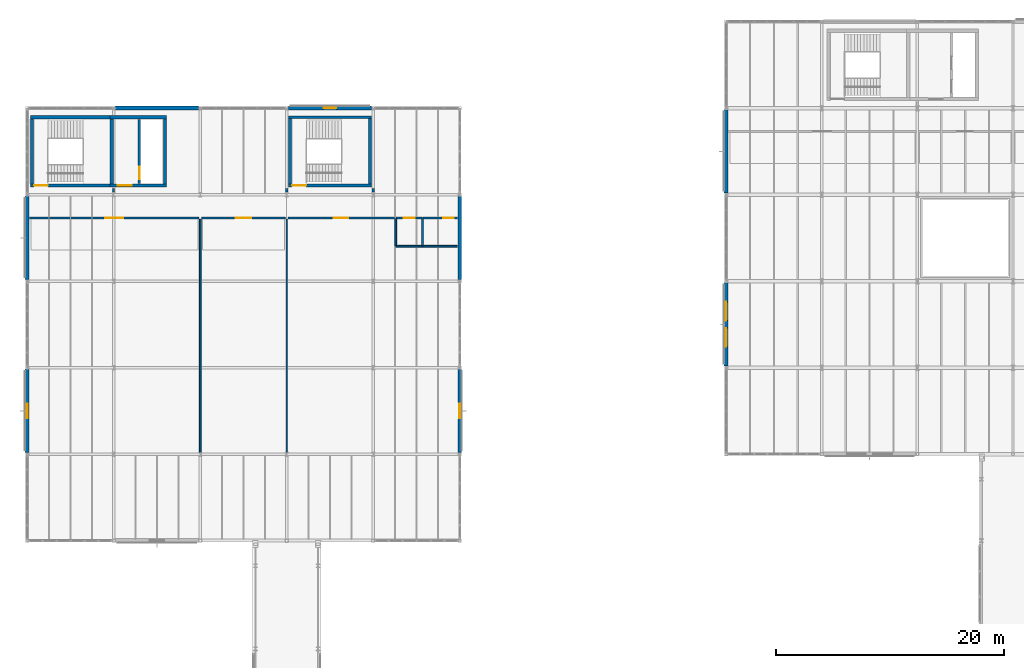
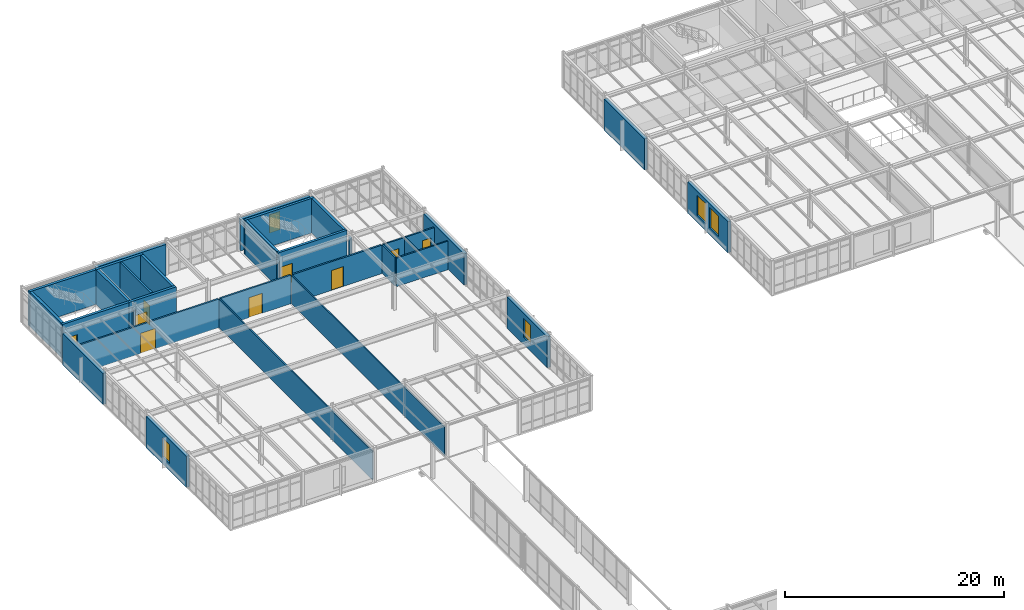
# One storey, part 163 of 189: 33 walls, 9 doors, 5 windows, 14 openings.
"""IFC4 building model written with IfcOpenShell, lengths in metres."""

from ifc_helpers import new_model, si_unit, direction, frame, frame_2d, origin, place, context, subcontext, project, spatial, rectangle, extrude, material, layer, layer_set, type_object, element, fill, save


model = new_model("IFC4")

# Units and contexts
model_context = context("Model", 3, precision=1e-05, world=origin(), true_north=direction((0.0, 1.0)))
body_context = subcontext(model_context, "Body", "Model", "MODEL_VIEW")
ifc_project = project(units=[si_unit("LENGTHUNIT", "METRE"), si_unit("AREAUNIT", "SQUARE_METRE"), si_unit("VOLUMEUNIT", "CUBIC_METRE"), si_unit("PLANEANGLEUNIT", "RADIAN"), si_unit("MASSUNIT", "GRAM", prefix="KILO")], contexts=[model_context])

# Site, building, storey
site_placement = place(None, origin())
site = spatial("IfcSite", under=ifc_project, at=site_placement, CompositionType="ELEMENT")
building_placement = place(site_placement, origin())
building = spatial("IfcBuilding", under=site, at=building_placement, Name="Montecoro Central Library", CompositionType="ELEMENT")
storey_placement = place(building_placement, frame((0.0, 0.0, 9.179931640625)))
storey = spatial("IfcBuildingStorey", under=building, at=storey_placement, Name="L02", CompositionType="ELEMENT", Elevation=9.179931640625)

# Wall
ifc_material_1 = material(Name="Roman travertine stone clad concrete C35/45", Category="masonry")
ifc_layer_1 = layer(ifc_material_1, 0.344970703125)
ifc_layer_set_1 = layer_set([ifc_layer_1], Name="Roman travertine stone clad concrete C35/45")
wall_type_1 = type_object("IfcWallType", Name="EW-TRV-345", PredefinedType="SOLIDWALL", material=ifc_layer_set_1)
wall_1_placement = place(storey_placement, frame((66.39990234375, 111.26708984375, 0.0), z_axis=(0.0, 0.0, 1.0), x_axis=(0.0, -1.0, 0.0)))
element("IfcWall", 1, at=wall_1_placement, inside=storey, type_object=wall_type_1, Name="V2-L02-EW-W3", PredefinedType="SOLIDWALL", context=body_context, shape_type="SweptSolid", body=[
    extrude(rectangle(XDim=7.333984375, YDim=0.344970703125, at=frame_2d((3.6669921875, 0.0))), origin(), (0.0, 0.0, 1.0), 3.47998046875),
])

# Wall, openings, windows
wall_2_placement = place(storey_placement, frame((66.39990234375, 96.06689453125, 0.0), z_axis=(0.0, 0.0, 1.0), x_axis=(0.0, -1.0, 0.0)))
wall_2 = element("IfcWall", 2, at=wall_2_placement, inside=storey, type_object=wall_type_1, Name="V2-L02-EW-W1", PredefinedType="SOLIDWALL", context=body_context, shape_type="SweptSolid", body=[
    extrude(rectangle(XDim=7.333984375, YDim=0.344970703125, at=frame_2d((3.6669921875, 0.0))), origin(), (0.0, 0.0, 1.0), 3.47998046875),
])
opening_1_placement = place(wall_2_placement, frame((1.69189453125, 0.0, 0.800048828125)))
opening_1 = element("IfcOpeningElement", 3, at=opening_1_placement, cuts=wall_2, Name="Opening WN-09", PredefinedType="OPENING", context=body_context, shape_type="SweptSolid", body=[
    extrude(rectangle(XDim=1.64990234375, YDim=2.25, at=frame_2d((0.824951171875, 1.125))), frame((0.0, 0.182373046875, 0.0), z_axis=(0.0, -1.0, 0.0), x_axis=(1.0, 0.0, 0.0)), (0.0, 0.0, 1.0), 0.364990234375),
])
opening_2_placement = place(wall_2_placement, frame((3.991943359375, 0.0, 0.800048828125)))
opening_2 = element("IfcOpeningElement", 4, at=opening_2_placement, cuts=wall_2, Name="Opening WN-09", PredefinedType="OPENING", context=body_context, shape_type="SweptSolid", body=[
    extrude(rectangle(XDim=1.64990234375, YDim=2.25, at=frame_2d((0.824951171875, 1.125))), frame((0.0, 0.182373046875, 0.0), z_axis=(0.0, -1.0, 0.0), x_axis=(1.0, 0.0, 0.0)), (0.0, 0.0, 1.0), 0.364990234375),
])
ifc_material_2 = material(Name="Laminated low-E double glazing", Category="glass")
window_type_1 = type_object("IfcWindowType", Name="WN-RDG-165", PartitioningType="SINGLE_PANEL", PredefinedType="WINDOW", material=ifc_material_2)
window_1_placement = place(opening_1_placement, origin())
window_1 = element("IfcWindow", 5, at=window_1_placement, inside=storey, type_object=window_type_1, Name="V2-L02-WN-W1-1", OverallHeight=2.25, OverallWidth=1.64990234375, PartitioningType="SINGLE_PANEL", PredefinedType="WINDOW", context=body_context, shape_type="SweptSolid", body=[
    extrude(rectangle(XDim=1.64990234375, YDim=2.25, at=frame_2d((0.824951171875, 1.125))), frame((0.0, 0.030029296875, 0.0), z_axis=(0.0, -1.0, 0.0), x_axis=(1.0, 0.0, 0.0)), (0.0, 0.0, 1.0), 0.06005859375),
])
fill(opening_1, window_1)
window_2_placement = place(opening_2_placement, origin())
window_2 = element("IfcWindow", 6, at=window_2_placement, inside=storey, type_object=window_type_1, Name="V2-L02-WN-W1-2", OverallHeight=2.25, OverallWidth=1.64990234375, PartitioningType="SINGLE_PANEL", PredefinedType="WINDOW", context=body_context, shape_type="SweptSolid", body=[
    extrude(rectangle(XDim=1.64990234375, YDim=2.25, at=frame_2d((0.824951171875, 1.125))), frame((0.0, 0.030029296875, 0.0), z_axis=(0.0, -1.0, 0.0), x_axis=(1.0, 0.0, 0.0)), (0.0, 0.0, 1.0), 0.06005859375),
])
fill(opening_2, window_2)

# Wall, opening, window
wall_3_placement = place(storey_placement, frame((43.0, 81.133056640625, 0.0), z_axis=(0.0, 0.0, 1.0), x_axis=(0.0, 1.0, 0.0)))
wall_3 = element("IfcWall", 7, at=wall_3_placement, inside=storey, type_object=wall_type_1, Name="V4-L02-EW-E1", PredefinedType="SOLIDWALL", context=body_context, shape_type="SweptSolid", body=[
    extrude(rectangle(XDim=7.333984375, YDim=0.344970703125, at=frame_2d((3.6669921875, 0.0))), origin(), (0.0, 0.0, 1.0), 3.47998046875),
])
opening_3_placement = place(wall_3_placement, frame((3.01708984375, 0.0, 0.800048828125)))
opening_3 = element("IfcOpeningElement", 8, at=opening_3_placement, cuts=wall_3, Name="Opening WN-15", PredefinedType="OPENING", context=body_context, shape_type="SweptSolid", body=[
    extrude(rectangle(XDim=1.300048828125, YDim=2.1201171875, at=frame_2d((0.64990234375, 1.06005859375))), frame((0.0, 0.182373046875, 0.0), z_axis=(0.0, -1.0, 0.0), x_axis=(1.0, 0.0, 0.0)), (0.0, 0.0, 1.0), 0.364990234375),
])
ifc_material_3 = material(Name="Acoustic laminated double glazing", Category="glass")
window_type_2 = type_object("IfcWindowType", Name="WN-AUD-130", PartitioningType="SINGLE_PANEL", PredefinedType="WINDOW", material=ifc_material_3)
window_3_placement = place(opening_3_placement, origin())
window_3 = element("IfcWindow", 9, at=window_3_placement, inside=storey, type_object=window_type_2, Name="V4-L02-WN-E1-1", OverallHeight=2.1201171875, OverallWidth=1.300048828125, PartitioningType="SINGLE_PANEL", PredefinedType="WINDOW", context=body_context, shape_type="SweptSolid", body=[
    extrude(rectangle(XDim=1.300048828125, YDim=2.1201171875, at=frame_2d((0.64990234375, 1.06005859375))), frame((0.0, 0.030029296875, 0.0), z_axis=(0.0, -1.0, 0.0), x_axis=(1.0, 0.0, 0.0)), (0.0, 0.0, 1.0), 0.06005859375),
])
fill(opening_3, window_3)

# Wall
wall_4_placement = place(storey_placement, frame((43.0, 96.3330078125, 0.0), z_axis=(0.0, 0.0, 1.0), x_axis=(0.0, 1.0, 0.0)))
element("IfcWall", 10, at=wall_4_placement, inside=storey, type_object=wall_type_1, Name="V4-L02-EW-E3", PredefinedType="SOLIDWALL", context=body_context, shape_type="SweptSolid", body=[
    extrude(rectangle(XDim=7.333984375, YDim=0.344970703125, at=frame_2d((3.6669921875, 0.0))), origin(), (0.0, 0.0, 1.0), 3.47998046875),
])

# Wall, opening, window
wall_5_placement = place(storey_placement, frame((35.26708984375, 111.39990234375, 0.0), z_axis=(0.0, 0.0, 1.0), x_axis=(-1.0, 0.0, 0.0)))
wall_5 = element("IfcWall", 11, at=wall_5_placement, inside=storey, type_object=wall_type_1, Name="V4-L02-EW-N3", PredefinedType="SOLIDWALL", context=body_context, shape_type="SweptSolid", body=[
    extrude(rectangle(XDim=7.333984375, YDim=0.344970703125, at=frame_2d((3.6669921875, 0.0))), origin(), (0.0, 0.0, 1.0), 3.47998046875),
])
opening_4_placement = place(wall_5_placement, frame((3.116943359375, 0.0, 0.800048828125)))
opening_4 = element("IfcOpeningElement", 12, at=opening_4_placement, cuts=wall_5, Name="Opening WN-14", PredefinedType="OPENING", context=body_context, shape_type="SweptSolid", body=[
    extrude(rectangle(XDim=1.10009765625, YDim=2.050048828125, at=frame_2d((0.550048828125, 1.02490234375))), frame((0.0, 0.182373046875, 0.0), z_axis=(0.0, -1.0, 0.0), x_axis=(1.0, 0.0, 0.0)), (0.0, 0.0, 1.0), 0.364990234375),
])
window_type_3 = type_object("IfcWindowType", Name="WN-AUD-110", PartitioningType="SINGLE_PANEL", PredefinedType="WINDOW", material=ifc_material_3)
window_4_placement = place(opening_4_placement, origin())
window_4 = element("IfcWindow", 13, at=window_4_placement, inside=storey, type_object=window_type_3, Name="V4-L02-WN-N3-1", OverallHeight=2.050048828125, OverallWidth=1.10009765625, PartitioningType="SINGLE_PANEL", PredefinedType="WINDOW", context=body_context, shape_type="SweptSolid", body=[
    extrude(rectangle(XDim=1.10009765625, YDim=2.050048828125, at=frame_2d((0.550048828125, 1.02490234375))), frame((0.0, 0.030029296875, 0.0), z_axis=(0.0, -1.0, 0.0), x_axis=(1.0, 0.0, 0.0)), (0.0, 0.0, 1.0), 0.06005859375),
])
fill(opening_4, window_4)

# Walls
for number, where, z_axis, x_axis, name in (
    (14, (20.06689453125, 111.39990234375, 0.0), (0.0, 0.0, 1.0), (-1.0, 0.0, 0.0), "V4-L02-EW-N1"),
    (15, (5.0, 103.6669921875, 0.0), (0.0, 0.0, 1.0), (0.0, -1.0, 0.0), "V4-L02-EW-W3"),
):
    element("IfcWall", number, at=place(storey_placement, frame(where, z_axis=z_axis, x_axis=x_axis)), inside=storey, type_object=wall_type_1, Name=name, PredefinedType="SOLIDWALL", context=body_context, shape_type="SweptSolid", body=[
        extrude(rectangle(XDim=7.333984375, YDim=0.344970703125, at=frame_2d((3.6669921875, 0.0))), origin(), (0.0, 0.0, 1.0), 3.47998046875),
    ])

# Wall, opening, window
wall_6_placement = place(storey_placement, frame((5.0, 88.467041015625, 0.0), z_axis=(0.0, 0.0, 1.0), x_axis=(0.0, -1.0, 0.0)))
wall_6 = element("IfcWall", 16, at=wall_6_placement, inside=storey, type_object=wall_type_1, Name="V4-L02-EW-W1", PredefinedType="SOLIDWALL", context=body_context, shape_type="SweptSolid", body=[
    extrude(rectangle(XDim=7.333984375, YDim=0.344970703125, at=frame_2d((3.6669921875, 0.0))), origin(), (0.0, 0.0, 1.0), 3.47998046875),
])
opening_5_placement = place(wall_6_placement, frame((3.01708984375, 0.0, 0.800048828125)))
opening_5 = element("IfcOpeningElement", 17, at=opening_5_placement, cuts=wall_6, Name="Opening WN-15", PredefinedType="OPENING", context=body_context, shape_type="SweptSolid", body=[
    extrude(rectangle(XDim=1.300048828125, YDim=2.1201171875, at=frame_2d((0.64990234375, 1.06005859375))), frame((0.0, 0.182373046875, 0.0), z_axis=(0.0, -1.0, 0.0), x_axis=(1.0, 0.0, 0.0)), (0.0, 0.0, 1.0), 0.364990234375),
])
window_5_placement = place(opening_5_placement, origin())
window_5 = element("IfcWindow", 18, at=window_5_placement, inside=storey, type_object=window_type_2, Name="V4-L02-WN-W1-1", OverallHeight=2.1201171875, OverallWidth=1.300048828125, PartitioningType="SINGLE_PANEL", PredefinedType="WINDOW", context=body_context, shape_type="SweptSolid", body=[
    extrude(rectangle(XDim=1.300048828125, YDim=2.1201171875, at=frame_2d((0.64990234375, 1.06005859375))), frame((0.0, 0.030029296875, 0.0), z_axis=(0.0, -1.0, 0.0), x_axis=(1.0, 0.0, 0.0)), (0.0, 0.0, 1.0), 0.06005859375),
])
fill(opening_5, window_5)

# Wall, opening, door
ifc_material_4 = material(Name="Gypsum fire-rated partition")
ifc_layer_2 = layer(ifc_material_4, 0.179931640625)
ifc_layer_set_2 = layer_set([ifc_layer_2], Name="Gypsum fire-rated partition")
wall_type_2 = type_object("IfcWallType", Name="IW-COR-180", PredefinedType="PARTITIONING", material=ifc_layer_set_2)
wall_7_placement = place(storey_placement, frame((5.199951171875, 101.75, 0.0), z_axis=(0.0, 0.0, 1.0), x_axis=(1.0, 0.0, 0.0)))
wall_7 = element("IfcWall", 19, at=wall_7_placement, inside=storey, type_object=wall_type_2, Name="CORW-V4-L02-01", PredefinedType="PARTITIONING", context=body_context, shape_type="SweptSolid", body=[
    extrude(rectangle(XDim=14.91015625, YDim=0.179931640625, at=frame_2d((7.455078125, 0.0))), origin(), (0.0, 0.0, 1.0), 3.18017578125),
])
opening_6_placement = place(wall_7_placement, frame((6.655029296875, 0.0, 0.0)))
opening_6 = element("IfcOpeningElement", 20, at=opening_6_placement, cuts=wall_7, Name="Opening ID-06", PredefinedType="OPENING", context=body_context, shape_type="SweptSolid", body=[
    extrude(rectangle(XDim=1.60009765625, YDim=2.25, at=frame_2d((0.800048828125, 1.125))), frame((0.0, 0.099853515625, 0.0), z_axis=(0.0, -1.0, 0.0), x_axis=(1.0, 0.0, 0.0)), (0.0, 0.0, 1.0), 0.199951171875),
])
ifc_material_5 = material(Name="Solid oak and fire-rated steel door", Category="steel")
door_type_1 = type_object("IfcDoorType", Name="ID-COR-160", OperationType="NOTDEFINED", PredefinedType="DOOR", material=ifc_material_5)
door_1_placement = place(opening_6_placement, origin())
door_1 = element("IfcDoor", 21, at=door_1_placement, inside=storey, type_object=door_type_1, Name="DR-SP-V4-L02-R1P1", OperationType="DOUBLE_DOOR_SINGLE_SWING", OverallHeight=2.25, OverallWidth=1.60009765625, PredefinedType="DOOR", context=body_context, shape_type="SweptSolid", body=[
    extrude(rectangle(XDim=1.60009765625, YDim=2.25, at=frame_2d((0.800048828125, 1.125))), frame((0.0, 0.02490234375, 0.0), z_axis=(0.0, -1.0, 0.0), x_axis=(1.0, 0.0, 0.0)), (0.0, 0.0, 1.0), 0.050048828125),
])
fill(opening_6, door_1)

wall_8_placement = place(storey_placement, frame((20.2900390625, 101.75, 0.0), z_axis=(0.0, 0.0, 1.0), x_axis=(1.0, 0.0, 0.0)))
wall_8 = element("IfcWall", 22, at=wall_8_placement, inside=storey, type_object=wall_type_2, Name="CORW-V4-L02-02", PredefinedType="PARTITIONING", context=body_context, shape_type="SweptSolid", body=[
    extrude(rectangle(XDim=7.419921875, YDim=0.179931640625, at=frame_2d((3.7099609375, 0.0))), origin(), (0.0, 0.0, 1.0), 3.18017578125),
])
opening_7_placement = place(wall_8_placement, frame((3.010009765625, 0.0, 0.0)))
opening_7 = element("IfcOpeningElement", 23, at=opening_7_placement, cuts=wall_8, Name="Opening ID-08", PredefinedType="OPENING", context=body_context, shape_type="SweptSolid", body=[
    extrude(rectangle(XDim=1.39990234375, YDim=2.219970703125, at=frame_2d((0.699951171875, 1.10986328125))), frame((0.0, 0.099853515625, 0.0), z_axis=(0.0, -1.0, 0.0), x_axis=(1.0, 0.0, 0.0)), (0.0, 0.0, 1.0), 0.199951171875),
])
door_type_2 = type_object("IfcDoorType", Name="ID-RDG-140", OperationType="NOTDEFINED", PredefinedType="DOOR", material=ifc_material_5)
door_2_placement = place(opening_7_placement, origin())
door_2 = element("IfcDoor", 24, at=door_2_placement, inside=storey, type_object=door_type_2, Name="DR-SP-V4-L02-R2P1", OperationType="SINGLE_SWING_LEFT", OverallHeight=2.219970703125, OverallWidth=1.39990234375, PredefinedType="DOOR", context=body_context, shape_type="SweptSolid", body=[
    extrude(rectangle(XDim=1.39990234375, YDim=2.219970703125, at=frame_2d((0.699951171875, 1.10986328125))), frame((0.0, 0.02490234375, 0.0), z_axis=(0.0, -1.0, 0.0), x_axis=(1.0, 0.0, 0.0)), (0.0, 0.0, 1.0), 0.050048828125),
])
fill(opening_7, door_2)

wall_9_placement = place(storey_placement, frame((27.889892578125, 101.75, 0.0), z_axis=(0.0, 0.0, 1.0), x_axis=(1.0, 0.0, 0.0)))
wall_9 = element("IfcWall", 25, at=wall_9_placement, inside=storey, type_object=wall_type_2, Name="CORW-V4-L02-03", PredefinedType="PARTITIONING", context=body_context, shape_type="SweptSolid", body=[
    extrude(rectangle(XDim=9.3701171875, YDim=0.179931640625, at=frame_2d((4.68505859375, 0.0))), origin(), (0.0, 0.0, 1.0), 3.18017578125),
])
opening_8_placement = place(wall_9_placement, frame((4.054931640625, 0.0, 0.0)))
opening_8 = element("IfcOpeningElement", 26, at=opening_8_placement, cuts=wall_9, Name="Opening ID-09", PredefinedType="OPENING", context=body_context, shape_type="SweptSolid", body=[
    extrude(rectangle(XDim=1.260009765625, YDim=2.199951171875, at=frame_2d((0.6298828125, 1.10009765625))), frame((0.0, 0.099853515625, 0.0), z_axis=(0.0, -1.0, 0.0), x_axis=(1.0, 0.0, 0.0)), (0.0, 0.0, 1.0), 0.199951171875),
])
door_type_3 = type_object("IfcDoorType", Name="ID-RDG-126", OperationType="NOTDEFINED", PredefinedType="DOOR", material=ifc_material_5)
door_3_placement = place(opening_8_placement, origin())
door_3 = element("IfcDoor", 27, at=door_3_placement, inside=storey, type_object=door_type_3, Name="DR-SP-V4-L02-R3P1", OperationType="SINGLE_SWING_RIGHT", OverallHeight=2.199951171875, OverallWidth=1.260009765625, PredefinedType="DOOR", context=body_context, shape_type="SweptSolid", body=[
    extrude(rectangle(XDim=1.260009765625, YDim=2.199951171875, at=frame_2d((0.6298828125, 1.10009765625))), frame((0.0, 0.02490234375, 0.0), z_axis=(0.0, -1.0, 0.0), x_axis=(1.0, 0.0, 0.0)), (0.0, 0.0, 1.0), 0.050048828125),
])
fill(opening_8, door_3)

# Walls
for number, where, z_axis, x_axis, name in (
    (28, (12.60009765625, 104.0400390625, 0.0), (0.0, 0.0, 1.0), (0.0, 1.0, 0.0), "PIL-V4-L02-1"),
    (29, (27.800048828125, 104.0400390625, 0.0), (0.0, 0.0, 1.0), (0.0, 1.0, 0.0), "PIL-V4-L02-2"),
    (30, (35.39990234375, 104.0400390625, 0.0), (0.0, 0.0, 1.0), (0.0, 1.0, 0.0), "PIL-V4-L02-3"),
):
    element("IfcWall", number, at=place(storey_placement, frame(where, z_axis=z_axis, x_axis=x_axis)), inside=storey, type_object=wall_type_2, Name=name, PredefinedType="PARTITIONING", context=body_context, shape_type="SweptSolid", body=[
        extrude(rectangle(XDim=0.320068359375, YDim=0.179931640625, at=frame_2d((0.16015625, 0.0))), origin(), (0.0, 0.0, 1.0), 3.18017578125),
    ])

# Wall, opening, door
ifc_material_6 = material(Name="Concrete C32/40", Category="concrete")
ifc_layer_3 = layer(ifc_material_6, 0.219970703125)
ifc_layer_set_3 = layer_set([ifc_layer_3], Name="Concrete C32/40")
wall_type_3 = type_object("IfcWallType", Name="IW-FFL-220", PredefinedType="SOLIDWALL", material=ifc_layer_set_3)
wall_10_placement = place(storey_placement, frame((14.85009765625, 104.800048828125, 0.0), z_axis=(0.0, 0.0, 1.0), x_axis=(0.0, 1.0, 0.0)))
wall_10 = element("IfcWall", 31, at=wall_10_placement, inside=storey, type_object=wall_type_3, Name="C5-L02-WLSH", PredefinedType="SOLIDWALL", context=body_context, shape_type="SweptSolid", body=[
    extrude(rectangle(XDim=5.599853515625, YDim=0.219970703125, at=frame_2d((2.7998046875, 0.0))), origin(), (0.0, 0.0, 1.0), 3.844970703125),
])
opening_9_placement = place(wall_10_placement, frame((0.35009765625, 0.0, 0.0)))
opening_9 = element("IfcOpeningElement", 32, at=opening_9_placement, cuts=wall_10, Name="Opening LD-01", PredefinedType="OPENING", context=body_context, shape_type="SweptSolid", body=[
    extrude(rectangle(XDim=1.10009765625, YDim=2.14990234375, at=frame_2d((0.550048828125, 1.074951171875))), frame((0.0, 0.119873046875, 0.0), z_axis=(0.0, -1.0, 0.0), x_axis=(1.0, 0.0, 0.0)), (0.0, 0.0, 1.0), 0.239990234375),
])
door_type_4 = type_object("IfcDoorType", Name="LD-LIFT-110", OperationType="NOTDEFINED", PredefinedType="DOOR", material=ifc_material_5)
door_4_placement = place(opening_9_placement, origin())
door_4 = element("IfcDoor", 33, at=door_4_placement, inside=storey, type_object=door_type_4, Name="C5-L02-LD-PL-05", OperationType="SLIDING_TO_LEFT", OverallHeight=2.14990234375, OverallWidth=1.10009765625, PredefinedType="DOOR", context=body_context, shape_type="SweptSolid", body=[
    extrude(rectangle(XDim=1.10009765625, YDim=2.14990234375, at=frame_2d((0.550048828125, 1.074951171875))), frame((0.0, 0.02490234375, 0.0), z_axis=(0.0, -1.0, 0.0), x_axis=(1.0, 0.0, 0.0)), (0.0, 0.0, 1.0), 0.050048828125),
])
fill(opening_9, door_4)

# Walls
ifc_material_7 = material(Name="Gypsum metal-stud partition")
ifc_layer_4 = layer(ifc_material_7, 0.1201171875)
ifc_layer_set_4 = layer_set([ifc_layer_4], Name="Gypsum metal-stud partition")
wall_type_4 = type_object("IfcWallType", Name="IW-PRT-120", PredefinedType="PARTITIONING", material=ifc_layer_set_4)
wall_11_placement = place(storey_placement, frame((27.800048828125, 73.719970703125, 0.0), z_axis=(0.0, 0.0, 1.0), x_axis=(0.0, 1.0, 0.0)))
element("IfcWall", 34, at=wall_11_placement, inside=storey, type_object=wall_type_4, Name="DIVW-V4-L02-02-1", PredefinedType="PARTITIONING", context=body_context, shape_type="SweptSolid", body=[
    extrude(rectangle(XDim=27.93994140625, YDim=0.1201171875, at=frame_2d((13.969970703125, 0.0))), origin(), (0.0, 0.0, 1.0), 3.18017578125),
])
ifc_layer_5 = layer(ifc_material_7, 0.139892578125)
ifc_layer_set_5 = layer_set([ifc_layer_5], Name="Gypsum metal-stud partition")
wall_type_5 = type_object("IfcWallType", Name="IW-PRT-140", PredefinedType="PARTITIONING", material=ifc_layer_set_5)
wall_12_placement = place(storey_placement, frame((20.199951171875, 73.719970703125, 0.0), z_axis=(0.0, 0.0, 1.0), x_axis=(0.0, 1.0, 0.0)))
element("IfcWall", 35, at=wall_12_placement, inside=storey, type_object=wall_type_5, Name="DIVW-V4-L02-01-1", PredefinedType="PARTITIONING", context=body_context, shape_type="SweptSolid", body=[
    extrude(rectangle(XDim=27.93994140625, YDim=0.139892578125, at=frame_2d((13.969970703125, 0.0))), origin(), (0.0, 0.0, 1.0), 3.18017578125),
])

# Wall, opening, door
ifc_material_8 = material(Name="Concrete C35/45", Category="concrete")
ifc_layer_6 = layer(ifc_material_8, 0.260009765625)
ifc_layer_set_6 = layer_set([ifc_layer_6], Name="Concrete C35/45")
wall_type_6 = type_object("IfcWallType", Name="IW-SHR-260", PredefinedType="SHEAR", material=ifc_layer_set_6)
wall_13_placement = place(storey_placement, frame((27.969970703125, 104.60009765625, 0.0), z_axis=(0.0, 0.0, 1.0), x_axis=(1.0, 0.0, 0.0)))
wall_13 = element("IfcWall", 36, at=wall_13_placement, inside=storey, type_object=wall_type_6, Name="C9-L02-WS", PredefinedType="SHEAR", context=body_context, shape_type="SweptSolid", body=[
    extrude(rectangle(XDim=7.260009765625, YDim=0.260009765625, at=frame_2d((3.6298828125, 0.0))), origin(), (0.0, 0.0, 1.0), 3.844970703125),
])
opening_10_placement = place(wall_13_placement, frame((0.31005859375, 0.0, 0.0)))
opening_10 = element("IfcOpeningElement", 37, at=opening_10_placement, cuts=wall_13, Name="Opening ID-01", PredefinedType="OPENING", context=body_context, shape_type="SweptSolid", body=[
    extrude(rectangle(XDim=1.219970703125, YDim=2.179931640625, at=frame_2d((0.60986328125, 1.08984375))), frame((0.0, 0.139892578125, 0.0), z_axis=(0.0, -1.0, 0.0), x_axis=(1.0, 0.0, 0.0)), (0.0, 0.0, 1.0), 0.280029296875),
])
door_type_5 = type_object("IfcDoorType", Name="ID-STR-140", OperationType="NOTDEFINED", PredefinedType="DOOR", material=ifc_material_5)
door_5_placement = place(opening_10_placement, origin())
door_5 = element("IfcDoor", 38, at=door_5_placement, inside=storey, type_object=door_type_5, Name="C9-L02-DSTR", OperationType="SINGLE_SWING_RIGHT", OverallHeight=2.179931640625, OverallWidth=1.219970703125, PredefinedType="DOOR", context=body_context, shape_type="SweptSolid", body=[
    extrude(rectangle(XDim=1.219970703125, YDim=2.179931640625, at=frame_2d((0.60986328125, 1.08984375))), frame((0.0, 0.02490234375, 0.0), z_axis=(0.0, -1.0, 0.0), x_axis=(1.0, 0.0, 0.0)), (0.0, 0.0, 1.0), 0.050048828125),
])
fill(opening_10, door_5)

# Walls
wall_14_placement = place(storey_placement, frame((27.969970703125, 110.60009765625, 0.0), z_axis=(0.0, 0.0, 1.0), x_axis=(1.0, 0.0, 0.0)))
element("IfcWall", 39, at=wall_14_placement, inside=storey, type_object=wall_type_6, Name="C9-L02-WN", PredefinedType="SHEAR", context=body_context, shape_type="SweptSolid", body=[
    extrude(rectangle(XDim=7.260009765625, YDim=0.260009765625, at=frame_2d((3.6298828125, 0.0))), origin(), (0.0, 0.0, 1.0), 3.844970703125),
])
for number, where, z_axis, x_axis, name in (
    (40, (28.10009765625, 104.72998046875, 0.0), (0.0, 0.0, 1.0), (0.0, 1.0, 0.0), "C9-L02-WW"),
    (41, (35.10009765625, 104.72998046875, 0.0), (0.0, 0.0, 1.0), (0.0, 1.0, 0.0), "C9-L02-WE"),
):
    element("IfcWall", number, at=place(storey_placement, frame(where, z_axis=z_axis, x_axis=x_axis)), inside=storey, type_object=wall_type_6, Name=name, PredefinedType="SHEAR", context=body_context, shape_type="SweptSolid", body=[
        extrude(rectangle(XDim=5.739990234375, YDim=0.260009765625, at=frame_2d((2.8701171875, 0.0))), origin(), (0.0, 0.0, 1.0), 3.844970703125),
    ])

# Wall, opening, door
ifc_layer_7 = layer(ifc_material_8, 0.280029296875)
ifc_layer_set_7 = layer_set([ifc_layer_7], Name="Concrete C35/45")
wall_type_7 = type_object("IfcWallType", Name="IW-SHR-280", PredefinedType="SHEAR", material=ifc_layer_set_7)
wall_15_placement = place(storey_placement, frame((12.280029296875, 104.60009765625, 0.0), z_axis=(0.0, 0.0, 1.0), x_axis=(1.0, 0.0, 0.0)))
wall_15 = element("IfcWall", 42, at=wall_15_placement, inside=storey, type_object=wall_type_7, Name="C5-L02-LWS", PredefinedType="SHEAR", context=body_context, shape_type="SweptSolid", body=[
    extrude(rectangle(XDim=4.9599609375, YDim=0.280029296875, at=frame_2d((2.47998046875, 0.0))), origin(), (0.0, 0.0, 1.0), 3.844970703125),
])
opening_11_placement = place(wall_15_placement, frame((0.68994140625, 0.0, 0.0)))
opening_11 = element("IfcOpeningElement", 43, at=opening_11_placement, cuts=wall_15, Name="Opening ID-03", PredefinedType="OPENING", context=body_context, shape_type="SweptSolid", body=[
    extrude(rectangle(XDim=1.199951171875, YDim=2.159912109375, at=frame_2d((0.60009765625, 1.080078125))), frame((0.0, 0.14990234375, 0.0), z_axis=(0.0, -1.0, 0.0), x_axis=(1.0, 0.0, 0.0)), (0.0, 0.0, 1.0), 0.300048828125),
])
door_type_6 = type_object("IfcDoorType", Name="ID-FFL-120", OperationType="NOTDEFINED", PredefinedType="DOOR", material=ifc_material_5)
door_6_placement = place(opening_11_placement, origin())
door_6 = element("IfcDoor", 44, at=door_6_placement, inside=storey, type_object=door_type_6, Name="C5-L02-DLOB", OperationType="SINGLE_SWING_LEFT", OverallHeight=2.159912109375, OverallWidth=1.199951171875, PredefinedType="DOOR", context=body_context, shape_type="SweptSolid", body=[
    extrude(rectangle(XDim=1.199951171875, YDim=2.159912109375, at=frame_2d((0.60009765625, 1.080078125))), frame((0.0, 0.02490234375, 0.0), z_axis=(0.0, -1.0, 0.0), x_axis=(1.0, 0.0, 0.0)), (0.0, 0.0, 1.0), 0.050048828125),
])
fill(opening_11, door_6)

# Walls
wall_16_placement = place(storey_placement, frame((17.239990234375, 110.60009765625, 0.0), z_axis=(0.0, 0.0, 1.0), x_axis=(-1.0, 0.0, 0.0)))
element("IfcWall", 45, at=wall_16_placement, inside=storey, type_object=wall_type_7, Name="C5-L02-LWN", PredefinedType="SHEAR", context=body_context, shape_type="SweptSolid", body=[
    extrude(rectangle(XDim=4.9599609375, YDim=0.280029296875, at=frame_2d((2.47998046875, 0.0))), origin(), (0.0, 0.0, 1.0), 3.844970703125),
])
wall_17_placement = place(storey_placement, frame((17.10009765625, 104.739990234375, 0.0), z_axis=(0.0, 0.0, 1.0), x_axis=(0.0, 1.0, 0.0)))
element("IfcWall", 46, at=wall_17_placement, inside=storey, type_object=wall_type_7, Name="C5-L02-LWE", PredefinedType="SHEAR", context=body_context, shape_type="SweptSolid", body=[
    extrude(rectangle(XDim=5.719970703125, YDim=0.280029296875, at=frame_2d((2.85986328125, 0.0))), origin(), (0.0, 0.0, 1.0), 3.844970703125),
])

# Wall, opening, door
wall_18_placement = place(storey_placement, frame((5.280029296875, 104.60009765625, 0.0), z_axis=(0.0, 0.0, 1.0), x_axis=(1.0, 0.0, 0.0)))
wall_18 = element("IfcWall", 47, at=wall_18_placement, inside=storey, type_object=wall_type_7, Name="C5-L02-WS", PredefinedType="SHEAR", context=body_context, shape_type="SweptSolid", body=[
    extrude(rectangle(XDim=7.280029296875, YDim=0.280029296875, at=frame_2d((3.64013671875, 0.0))), origin(), (0.0, 0.0, 1.0), 3.844970703125),
])
opening_12_placement = place(wall_18_placement, frame((0.320068359375, 0.0, 0.0)))
opening_12 = element("IfcOpeningElement", 48, at=opening_12_placement, cuts=wall_18, Name="Opening ID-01", PredefinedType="OPENING", context=body_context, shape_type="SweptSolid", body=[
    extrude(rectangle(XDim=1.219970703125, YDim=2.179931640625, at=frame_2d((0.60986328125, 1.08984375))), frame((0.0, 0.14990234375, 0.0), z_axis=(0.0, -1.0, 0.0), x_axis=(1.0, 0.0, 0.0)), (0.0, 0.0, 1.0), 0.300048828125),
])
door_7_placement = place(opening_12_placement, origin())
door_7 = element("IfcDoor", 49, at=door_7_placement, inside=storey, type_object=door_type_5, Name="C5-L02-DSTR", OperationType="SINGLE_SWING_RIGHT", OverallHeight=2.179931640625, OverallWidth=1.219970703125, PredefinedType="DOOR", context=body_context, shape_type="SweptSolid", body=[
    extrude(rectangle(XDim=1.219970703125, YDim=2.179931640625, at=frame_2d((0.60986328125, 1.08984375))), frame((0.0, 0.02490234375, 0.0), z_axis=(0.0, -1.0, 0.0), x_axis=(1.0, 0.0, 0.0)), (0.0, 0.0, 1.0), 0.050048828125),
])
fill(opening_12, door_7)

# Walls
wall_19_placement = place(storey_placement, frame((5.280029296875, 110.60009765625, 0.0), z_axis=(0.0, 0.0, 1.0), x_axis=(1.0, 0.0, 0.0)))
element("IfcWall", 50, at=wall_19_placement, inside=storey, type_object=wall_type_7, Name="C5-L02-WN", PredefinedType="SHEAR", context=body_context, shape_type="SweptSolid", body=[
    extrude(rectangle(XDim=7.280029296875, YDim=0.280029296875, at=frame_2d((3.64013671875, 0.0))), origin(), (0.0, 0.0, 1.0), 3.844970703125),
])
for number, where, z_axis, x_axis, name in (
    (51, (5.419921875, 104.739990234375, 0.0), (0.0, 0.0, 1.0), (0.0, 1.0, 0.0), "C5-L02-WW"),
    (52, (12.419921875, 104.739990234375, 0.0), (0.0, 0.0, 1.0), (0.0, 1.0, 0.0), "C5-L02-WE"),
):
    element("IfcWall", number, at=place(storey_placement, frame(where, z_axis=z_axis, x_axis=x_axis)), inside=storey, type_object=wall_type_7, Name=name, PredefinedType="SHEAR", context=body_context, shape_type="SweptSolid", body=[
        extrude(rectangle(XDim=5.719970703125, YDim=0.280029296875, at=frame_2d((2.85986328125, 0.0))), origin(), (0.0, 0.0, 1.0), 3.844970703125),
    ])
ifc_material_9 = material(Name="Moisture-resistant ceramic-tiled partition")
ifc_layer_8 = layer(ifc_material_9, 0.14990234375)
ifc_layer_set_8 = layer_set([ifc_layer_8], Name="Moisture-resistant ceramic-tiled partition")
wall_type_8 = type_object("IfcWallType", Name="IW-WET-150", PredefinedType="PARTITIONING", material=ifc_layer_set_8)
wall_20_placement = place(storey_placement, frame((37.3798828125, 99.27001953125, 0.0), z_axis=(0.0, 0.0, 1.0), x_axis=(1.0, 0.0, 0.0)))
element("IfcWall", 53, at=wall_20_placement, inside=storey, type_object=wall_type_8, Name="WC-V4-L02-WBK", PredefinedType="PARTITIONING", context=body_context, shape_type="SweptSolid", body=[
    extrude(rectangle(XDim=5.420166015625, YDim=0.14990234375, at=frame_2d((2.7099609375, 0.0))), origin(), (0.0, 0.0, 1.0), 3.18017578125),
])
for number, where, z_axis, x_axis, name in (
    (54, (37.3798828125, 99.330078125, 0.0), (0.0, 0.0, 1.0), (0.0, 1.0, 0.0), "WC-V4-L02-WW"),
    (55, (39.72998046875, 99.330078125, 0.0), (0.0, 0.0, 1.0), (0.0, 1.0, 0.0), "WC-V4-L02-WM"),
):
    element("IfcWall", number, at=place(storey_placement, frame(where, z_axis=z_axis, x_axis=x_axis)), inside=storey, type_object=wall_type_8, Name=name, PredefinedType="PARTITIONING", context=body_context, shape_type="SweptSolid", body=[
        extrude(rectangle(XDim=2.35986328125, YDim=0.14990234375, at=frame_2d((1.179931640625, 0.0))), origin(), (0.0, 0.0, 1.0), 3.18017578125),
    ])

# Wall, opening, door
wall_21_placement = place(storey_placement, frame((37.43994140625, 101.75, 0.0), z_axis=(0.0, 0.0, 1.0), x_axis=(1.0, 0.0, 0.0)))
wall_21 = element("IfcWall", 56, at=wall_21_placement, inside=storey, type_object=wall_type_8, Name="WC-V4-L02-WFA", PredefinedType="PARTITIONING", context=body_context, shape_type="SweptSolid", body=[
    extrude(rectangle(XDim=2.25, YDim=0.14990234375, at=frame_2d((1.125, 0.0))), origin(), (0.0, 0.0, 1.0), 3.18017578125),
])
opening_13_placement = place(wall_21_placement, frame((0.625, 0.0, 0.0)))
opening_13 = element("IfcOpeningElement", 57, at=opening_13_placement, cuts=wall_21, Name="Opening ID-15", PredefinedType="OPENING", context=body_context, shape_type="SweptSolid", body=[
    extrude(rectangle(XDim=1.0, YDim=2.14990234375, at=frame_2d((0.5, 1.074951171875))), frame((0.0, 0.0849609375, 0.0), z_axis=(0.0, -1.0, 0.0), x_axis=(1.0, 0.0, 0.0)), (0.0, 0.0, 1.0), 0.169921875),
])
door_type_7 = type_object("IfcDoorType", Name="ID-AWC-100", OperationType="NOTDEFINED", PredefinedType="DOOR", material=ifc_material_5)
door_8_placement = place(opening_13_placement, origin())
door_8 = element("IfcDoor", 58, at=door_8_placement, inside=storey, type_object=door_type_7, Name="DR-SP-V4-L02-AWC", OperationType="SINGLE_SWING_LEFT", OverallHeight=2.14990234375, OverallWidth=1.0, PredefinedType="DOOR", context=body_context, shape_type="SweptSolid", body=[
    extrude(rectangle(XDim=1.0, YDim=2.14990234375, at=frame_2d((0.5, 1.074951171875))), frame((0.0, 0.02490234375, 0.0), z_axis=(0.0, -1.0, 0.0), x_axis=(1.0, 0.0, 0.0)), (0.0, 0.0, 1.0), 0.050048828125),
])
fill(opening_13, door_8)

wall_22_placement = place(storey_placement, frame((39.77001953125, 101.75, 0.0), z_axis=(0.0, 0.0, 1.0), x_axis=(1.0, 0.0, 0.0)))
wall_22 = element("IfcWall", 59, at=wall_22_placement, inside=storey, type_object=wall_type_8, Name="WC-V4-L02-WFP", PredefinedType="PARTITIONING", context=body_context, shape_type="SweptSolid", body=[
    extrude(rectangle(XDim=3.030029296875, YDim=0.14990234375, at=frame_2d((1.51513671875, 0.0))), origin(), (0.0, 0.0, 1.0), 3.18017578125),
])
opening_14_placement = place(wall_22_placement, frame((1.780029296875, 0.0, 0.0)))
opening_14 = element("IfcOpeningElement", 60, at=opening_14_placement, cuts=wall_22, Name="Opening ID-16", PredefinedType="OPENING", context=body_context, shape_type="SweptSolid", body=[
    extrude(rectangle(XDim=0.89990234375, YDim=2.14990234375, at=frame_2d((0.449951171875, 1.074951171875))), frame((0.0, 0.0849609375, 0.0), z_axis=(0.0, -1.0, 0.0), x_axis=(1.0, 0.0, 0.0)), (0.0, 0.0, 1.0), 0.169921875),
])
door_type_8 = type_object("IfcDoorType", Name="ID-WC-090", OperationType="NOTDEFINED", PredefinedType="DOOR", material=ifc_material_5)
door_9_placement = place(opening_14_placement, origin())
door_9 = element("IfcDoor", 61, at=door_9_placement, inside=storey, type_object=door_type_8, Name="DR-SP-V4-L02-PWC", OperationType="SINGLE_SWING_RIGHT", OverallHeight=2.14990234375, OverallWidth=0.89990234375, PredefinedType="DOOR", context=body_context, shape_type="SweptSolid", body=[
    extrude(rectangle(XDim=0.89990234375, YDim=2.14990234375, at=frame_2d((0.449951171875, 1.074951171875))), frame((0.0, 0.02490234375, 0.0), z_axis=(0.0, -1.0, 0.0), x_axis=(1.0, 0.0, 0.0)), (0.0, 0.0, 1.0), 0.050048828125),
])
fill(opening_14, door_9)

save(model, "model.ifc")
